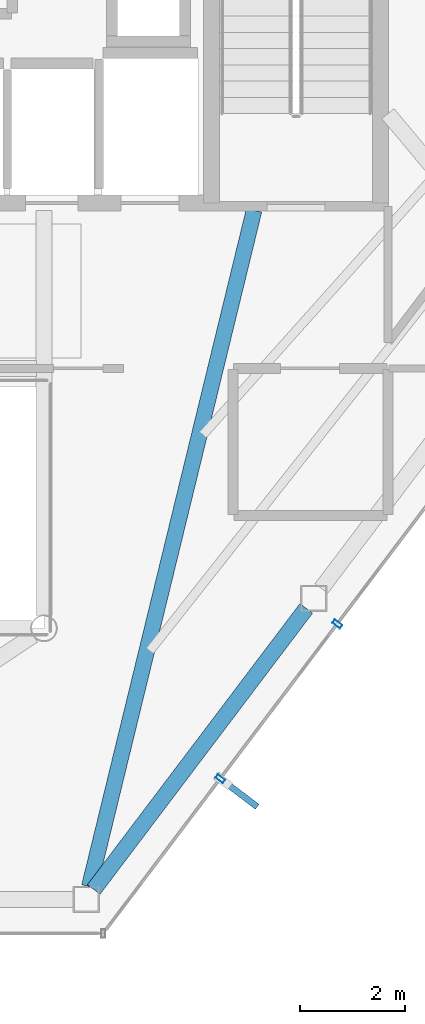
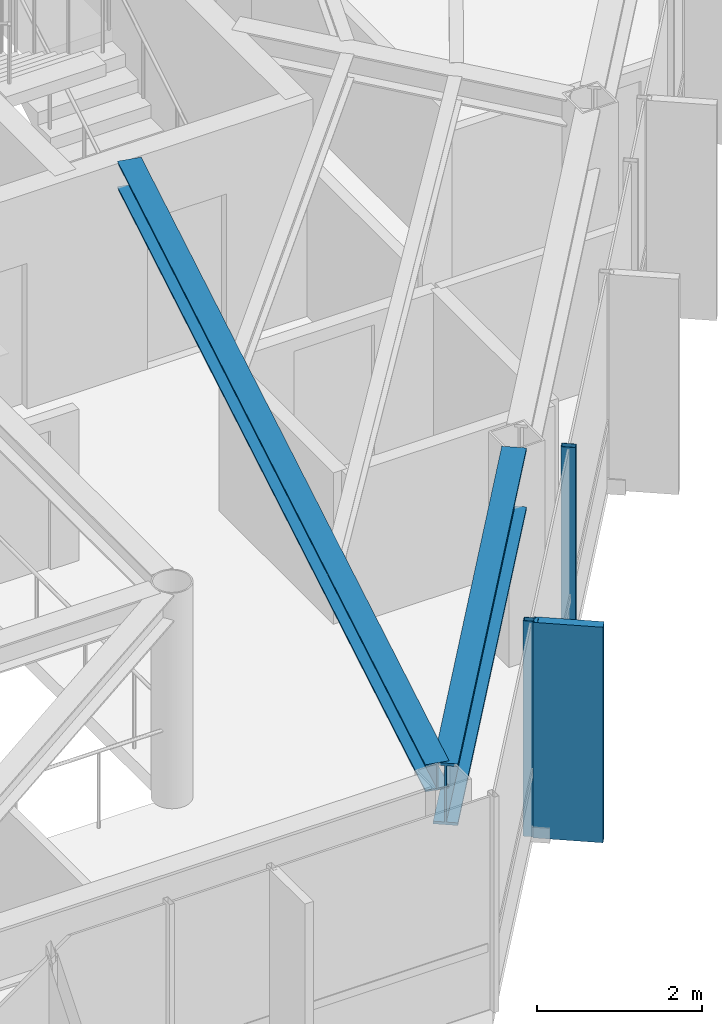
# One storey, part 6 of 24: 3 members, 2 beams, 1 element without a shape of its own.
"""IFC4 building model written with IfcOpenShell, lengths in metres."""

from ifc_helpers import new_model, si_unit, direction, frame, origin, origin_2d, place, context, subcontext, project, spatial, rectangle, hollow_rectangle, i_section, extrude, material, layer, layer_set, material_profile, profile_set, type_object, element, aggregate, save


model = new_model("IFC4")

# Units and contexts
model_context = context("Model", 3, precision=1e-05, world=origin(), true_north=direction((0.0, 1.0)))
body_context = subcontext(model_context, "Body", "Model", "MODEL_VIEW")
ifc_project = project(units=[si_unit("LENGTHUNIT", "METRE"), si_unit("AREAUNIT", "SQUARE_METRE"), si_unit("VOLUMEUNIT", "CUBIC_METRE"), si_unit("PLANEANGLEUNIT", "RADIAN"), si_unit("MASSUNIT", "GRAM", prefix="KILO")], contexts=[model_context])

# Site, building, storey
site_placement = place(None, origin())
site = spatial("IfcSite", under=ifc_project, at=site_placement, CompositionType="ELEMENT")
building_placement = place(site_placement, origin())
building = spatial("IfcBuilding", under=site, at=building_placement, Name="Zarrinselat Tower", CompositionType="ELEMENT")
storey_placement = place(building_placement, frame((0.0, 0.0, 268.60009765625)))
storey = spatial("IfcBuildingStorey", under=building, at=storey_placement, Name="L68", CompositionType="ELEMENT", Elevation=268.60009765625)

# Beams
ifc_material_1 = material(Name="Steel S355J2", Category="steel")
ifc_material_profile_1 = material_profile(ifc_material_1, i_section(OverallWidth=0.300048828125, OverallDepth=0.39990234375, WebThickness=0.013427734375, FlangeThickness=0.02392578125, at=origin_2d()), Name="HEB 400")
ifc_profile_set_1 = profile_set([ifc_material_profile_1], Name="Steel S355J2")
beam_type_1 = type_object("IfcBeamType", Name="BM-HEB400", PredefinedType="BEAM", material=ifc_profile_set_1)
beam_1_placement = place(storey_placement, frame((42.663330078125, 20.28271484375, 2.97998046875), z_axis=(0.236666964274, 0.971590833644, 0.0), x_axis=(-0.971590833644, 0.236666964274, 0.0)))
element("IfcBeam", 1, at=beam_1_placement, inside=storey, type_object=beam_type_1, Name="L68 Radial Primary Girder RG11", PredefinedType="BEAM", context=body_context, shape_type="SweptSolid", body=[
    extrude(i_section(OverallWidth=0.300048828125, OverallDepth=0.39990234375, WebThickness=0.013427734375, FlangeThickness=0.02392578125, at=origin_2d()), origin(), (0.0, 0.0, 1.0), 13.253662109375),
])
ifc_material_2 = material(Name="Steel S460M", Category="steel")
ifc_material_profile_2 = material_profile(ifc_material_2, i_section(OverallWidth=0.302001953125, OverallDepth=0.909912109375, WebThickness=0.02099609375, FlangeThickness=0.0400390625, at=origin_2d()), Name="HEM 900")
ifc_profile_set_2 = profile_set([ifc_material_profile_2], Name="Steel S460M")
beam_type_2 = type_object("IfcBeamType", Name="BM-HEM900", PredefinedType="BEAM", material=ifc_profile_set_2)
beam_2_placement = place(storey_placement, frame((42.747314453125, 20.227783203125, 2.724853515625), z_axis=(0.603161908748, 0.797618776005, 0.0), x_axis=(-0.797618776005, 0.603161908748, 0.0)))
element("IfcBeam", 2, at=beam_2_placement, inside=storey, type_object=beam_type_2, Name="L68 Perimeter Spandrel Girder SP11", PredefinedType="BEAM", context=body_context, shape_type="SweptSolid", body=[
    extrude(i_section(OverallWidth=0.302001953125, OverallDepth=0.909912109375, WebThickness=0.02099609375, FlangeThickness=0.0400390625, at=origin_2d()), origin(), (0.0, 0.0, 1.0), 6.710693359375),
])

# Curtain wall, members
ifc_material_3 = material(Name="Extruded Aluminium Alloy EN AW-6063 T6", Category="aluminium")
ifc_layer = layer(ifc_material_3, 0.199951171875)
ifc_layer_set = layer_set([ifc_layer], Name="Extruded Aluminium Alloy EN AW-6063 T6")
curtain_wall_type = type_object("IfcCurtainWallType", Name="CWS-BLADE", PredefinedType="NOTDEFINED", material=ifc_layer_set)
curtain_wall_placement = place(storey_placement, origin())
curtain_wall = element("IfcCurtainWall", 3, at=curtain_wall_placement, inside=storey, type_object=curtain_wall_type, Name="L68 Unitised Curtain Wall CW-L68-E05", PredefinedType="NOTDEFINED")
ifc_material_4 = material(Name="Extruded Aluminium Alloy EN AW-6063 T6", Category="aluminium")
ifc_material_profile_3 = material_profile(ifc_material_4, hollow_rectangle(XDim=0.080078125, YDim=0.179931640625, WallThickness=0.0048828125, at=origin_2d()), Name="RHS 180x80x5")
ifc_profile_set_3 = profile_set([ifc_material_profile_3], Name="Extruded Aluminium Alloy EN AW-6063 T6")
member_type_1 = type_object("IfcMemberType", Name="MEM-CW-MUL", PredefinedType="MULLION", material=ifc_profile_set_3)
member_1_placement = place(storey_placement, frame((45.156005859375, 22.33544921875, 0.0), z_axis=(0.0, 0.0, 1.0), x_axis=(0.603169586453, 0.797612970041, 0.0)))
member_1 = element("IfcMember", 4, at=member_1_placement, type_object=member_type_1, Name="CW-L68-E05 Mullion 1", PredefinedType="MULLION", context=body_context, shape_type="SweptSolid", body=[
    extrude(hollow_rectangle(XDim=0.080078125, YDim=0.179931640625, WallThickness=0.0048828125, at=origin_2d()), origin(), (0.0, 0.0, 1.0), 3.179931640625),
])
member_2_placement = place(storey_placement, frame((47.385009765625, 25.28271484375, 0.0), z_axis=(0.0, 0.0, 1.0), x_axis=(0.603169586453, 0.797612970041, 0.0)))
member_2 = element("IfcMember", 5, at=member_2_placement, type_object=member_type_1, Name="CW-L68-E05 Mullion 2", PredefinedType="MULLION", context=body_context, shape_type="SweptSolid", body=[
    extrude(hollow_rectangle(XDim=0.080078125, YDim=0.179931640625, WallThickness=0.0048828125, at=origin_2d()), origin(), (0.0, 0.0, 1.0), 3.179931640625),
])
ifc_material_5 = material(Name="Honed Cream Travertine Stone", Category="masonry")
ifc_material_profile_4 = material_profile(ifc_material_5, rectangle(XDim=0.1201171875, YDim=0.85009765625, at=origin_2d()), Name="FIN 850x120")
ifc_profile_set_4 = profile_set([ifc_material_profile_4], Name="Honed Cream Travertine Stone")
member_type_2 = type_object("IfcMemberType", Name="MEM-STONE-FIN", PredefinedType="USERDEFINED", material=ifc_profile_set_4)
member_3_placement = place(storey_placement, frame((45.52294921875, 22.057861328125, 0.0), z_axis=(0.0, 0.0, 1.0), x_axis=(-0.603169586453, -0.797612970041, 0.0)))
member_3 = element("IfcMember", 6, at=member_3_placement, type_object=member_type_2, Name="L68 Stone Shading Fin CW-L68-E05-01", ObjectType="FIN", PredefinedType="USERDEFINED", context=body_context, shape_type="SweptSolid", body=[
    extrude(rectangle(XDim=0.1201171875, YDim=0.85009765625, at=origin_2d()), origin(), (0.0, 0.0, 1.0), 3.179931640625),
])
aggregate(curtain_wall, [member_1, member_3, member_2])

save(model, "model.ifc")
